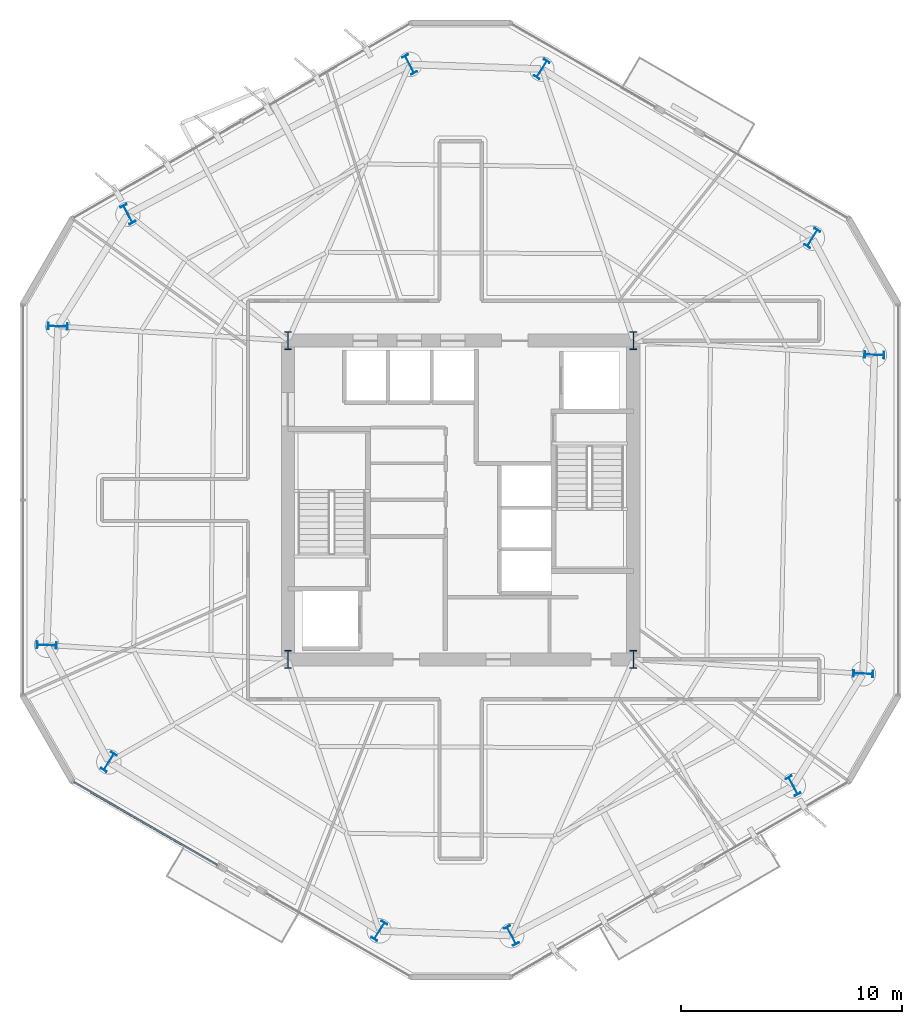
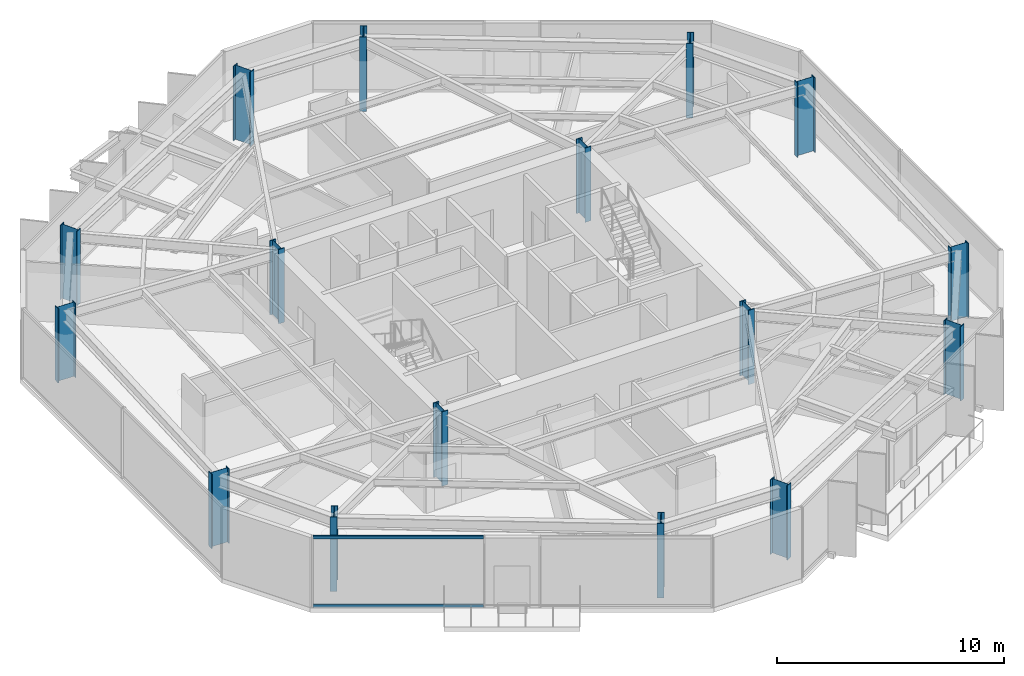
# One storey, part 1 of 11: 16 columns, 2 members, 1 element without a shape of its own.
"""IFC4 building model written with IfcOpenShell, lengths in metres."""

import ifcopenshell
import ifcopenshell.guid

model = None  # the IFC model being written
_history = None  # IfcOwnerHistory: only IFC2X3 demands one
_inside = {}  # id of a spatial element -> (the spatial element, [elements in it])
_under = {}  # id of a project, library or spatial element -> (it, [spatial elements below it])
_declared = {}  # id of a project -> (the project, [libraries it declares])
_typed = {}  # id of a type object -> (the type object, [elements of that type])
_made_of = {}  # id of a material, layer set ... -> (it, [elements and type objects made of it])


def new_model(schema):
    """Start an empty IFC model of exactly this schema.

    Asked for "IFC4X3", IfcOpenShell would pick the latest addendum, in which some entities
    have other attributes; the version numbers below select the first issue.
    IFC2X3 requires an IfcOwnerHistory on every rooted entity: one is made here for all.
    """
    global model, _history
    if schema == "IFC4X3":
        model = ifcopenshell.file(schema_version=(4, 3, 0, 0))
    else:
        model = ifcopenshell.file(schema=schema)
    _inside.clear()
    _under.clear()
    _declared.clear()
    _typed.clear()
    _made_of.clear()
    _history = None
    if model.schema == "IFC2X3":
        org = make("IfcOrganization", Name="unknown")
        user = make(
            "IfcPersonAndOrganization",
            ThePerson=make("IfcPerson", FamilyName="unknown"),
            TheOrganization=org,
        )
        app = make(
            "IfcApplication",
            ApplicationDeveloper=org,
            Version="unknown",
            ApplicationFullName="unknown",
            ApplicationIdentifier="unknown",
        )
        _history = make(
            "IfcOwnerHistory",
            OwningUser=user,
            OwningApplication=app,
            ChangeAction="ADDED",
            CreationDate=0,
        )
    return model


def make(cls, **values):
    """One entity of the class cls with the attributes given. An attribute that is None is left unset."""
    return model.create_entity(
        cls, **{name: value for name, value in values.items() if value is not None}
    )


def rooted(cls, **values):
    """An entity with a GlobalId (a new one), such as an element, a storey or a relation."""
    return make(cls, GlobalId=ifcopenshell.guid.new(), OwnerHistory=_history, **values)


def si_unit(unit_type, name, prefix=None):
    """IfcSIUnit, for example si_unit("LENGTHUNIT", "METRE", prefix="MILLI")."""
    return make("IfcSIUnit", UnitType=unit_type, Prefix=prefix, Name=name)


def assignment(units):
    """IfcUnitAssignment: the units of a project."""
    return None if units is None else make("IfcUnitAssignment", Units=units)


def point(xyz):
    """IfcCartesianPoint."""
    return None if xyz is None else make("IfcCartesianPoint", Coordinates=xyz)


def direction(xyz):
    """IfcDirection."""
    return None if xyz is None else make("IfcDirection", DirectionRatios=xyz)


def frame(location, z_axis=None, x_axis=None):
    """IfcAxis2Placement3D, a coordinate frame: its origin and axes. An axis left out is left unset."""
    return make(
        "IfcAxis2Placement3D",
        Location=point(location),
        Axis=direction(z_axis),
        RefDirection=direction(x_axis),
    )


def frame_2d(location, x_axis=None):
    """IfcAxis2Placement2D, a coordinate frame in the plane: its origin and x axis."""
    return make(
        "IfcAxis2Placement2D", Location=point(location), RefDirection=direction(x_axis)
    )


def origin():
    """The frame at (0, 0, 0) with its axes left unset."""
    return frame((0.0, 0.0, 0.0))


def origin_2d():
    """The frame at (0, 0) in the plane with its x axis left unset."""
    return frame_2d((0.0, 0.0))


def place(relative_to, where):
    """IfcLocalPlacement: puts the frame where relative to a parent placement (None: the world)."""
    return make(
        "IfcLocalPlacement", PlacementRelTo=relative_to, RelativePlacement=where
    )


def context(
    kind, dimensions, precision=None, world=None, true_north=None, identifier=None
):
    """IfcGeometricRepresentationContext, for example the 3D "Model" context."""
    return make(
        "IfcGeometricRepresentationContext",
        ContextIdentifier=identifier,
        ContextType=kind,
        CoordinateSpaceDimension=dimensions,
        Precision=precision,
        WorldCoordinateSystem=world,
        TrueNorth=true_north,
    )


def subcontext(parent, identifier, kind, view, scale=None):
    """IfcGeometricRepresentationSubContext, for example "Body" below "Model"."""
    return make(
        "IfcGeometricRepresentationSubContext",
        ContextIdentifier=identifier,
        ContextType=kind,
        ParentContext=parent,
        TargetScale=scale,
        TargetView=view,
    )


def project(units=None, contexts=None):
    """IfcProject with its units and contexts."""
    return rooted(
        "IfcProject",
        Name="project",
        RepresentationContexts=contexts,
        UnitsInContext=assignment(units),
    )


def spatial(cls, under=None, at=None, **own):
    """A site, building, storey or space (cls), placed at a placement, below another one or the project."""
    s = rooted(cls, ObjectPlacement=at, **own)
    if under is not None:
        _under.setdefault(under.id(), (under, []))[1].append(s)
    return s


def profile(cls, at=None, kind="AREA", **sizes):
    """A parametric profile (cls). Its sizes go by their IFC names, for example OverallWidth=200.0."""
    return make(cls, ProfileType=kind, Position=at, **sizes)


def rectangle(**sizes):
    """IfcRectangleProfileDef."""
    return profile("IfcRectangleProfileDef", **sizes)


def i_section(**sizes):
    """IfcIShapeProfileDef."""
    return profile("IfcIShapeProfileDef", **sizes)


def extrude(swept, where, along, depth):
    """IfcExtrudedAreaSolid: the profile swept, set in the frame where, extruded along a direction by depth."""
    return make(
        "IfcExtrudedAreaSolid",
        SweptArea=swept,
        Position=where,
        ExtrudedDirection=direction(along),
        Depth=depth,
    )


def shape(context_of_items, identifier, shape_type, items):
    """IfcShapeRepresentation: the items that make up one representation, for example the "Body"."""
    return make(
        "IfcShapeRepresentation",
        ContextOfItems=context_of_items,
        RepresentationIdentifier=identifier,
        RepresentationType=shape_type,
        Items=items,
    )


def material(Name=None, Category=None):
    """IfcMaterial."""
    return make("IfcMaterial", Name=Name, Category=Category)


def layer(
    of_material, thickness, ventilated=None, Name=None, Category=None, Priority=None
):
    """IfcMaterialLayer: one layer of a wall or slab, of a material (None: an air gap)."""
    return make(
        "IfcMaterialLayer",
        Material=of_material,
        LayerThickness=thickness,
        IsVentilated=ventilated,
        Name=Name,
        Category=Category,
        Priority=Priority,
    )


def layer_set(layers, Name=None):
    """IfcMaterialLayerSet."""
    return make("IfcMaterialLayerSet", MaterialLayers=layers, LayerSetName=Name)


def material_profile(
    of_material, cross_section, Name=None, Category=None, Priority=None
):
    """IfcMaterialProfile: a cross section and its material."""
    return make(
        "IfcMaterialProfile",
        Name=Name,
        Material=of_material,
        Profile=cross_section,
        Priority=Priority,
        Category=Category,
    )


def profile_set(profiles, Name=None, composite=None):
    """IfcMaterialProfileSet."""
    return make(
        "IfcMaterialProfileSet",
        Name=Name,
        MaterialProfiles=profiles,
        CompositeProfile=composite,
    )


def made_of(thing, what):
    """Note that an element or type object is made of a material, layer set ...; save() writes the relation."""
    if what is not None:
        _made_of.setdefault(what.id(), (what, []))[1].append(thing)
    return thing


def type_object(cls, material=None, **own):
    """A type object (cls), such as IfcWallType, which elements share."""
    return made_of(rooted(cls, **own), material)


def element(
    cls,
    number,
    at=None,
    inside=None,
    cuts=None,
    type_object=None,
    material=None,
    context=None,
    identifier="Body",
    shape_type=None,
    held_by="IfcProductDefinitionShape",
    body=None,
    shapes=None,
    **own,
):
    """One element of the class cls, such as IfcWall. Its Tag is "e" and its number.

    at: its placement. inside: the storey or other place that contains it. cuts: it is an
    opening in that element (IfcRelVoidsElement). A single representation is given by context,
    identifier, shape_type and body (its items); several are given by shapes. held_by: the class
    of the entity that holds the representations. save() writes the other relations.
    """
    e = rooted(cls, Tag="e%d" % number, ObjectPlacement=at, **own)
    if body is not None:
        shapes = [shape(context, identifier, shape_type, body)]
    if shapes is not None:
        e.Representation = make(held_by, Representations=shapes)
    if inside is not None:
        _inside.setdefault(inside.id(), (inside, []))[1].append(e)
    if cuts is not None:
        rooted(
            "IfcRelVoidsElement", RelatingBuildingElement=cuts, RelatedOpeningElement=e
        )
    if type_object is not None:
        _typed.setdefault(type_object.id(), (type_object, []))[1].append(e)
    return made_of(e, material)


def aggregate(whole, parts):
    """IfcRelAggregates: a whole, such as a stair, and the parts it consists of."""
    return rooted("IfcRelAggregates", RelatingObject=whole, RelatedObjects=parts)


def save(model, path):
    """Write the relations noted so far, then the file.

    IfcRelAggregates (storeys below a building ...), IfcRelContainedInSpatialStructure (elements
    in a storey), IfcRelDefinesByType, IfcRelAssociatesMaterial and IfcRelDeclares: one each for
    every whole, place, type object, material and project.
    """
    for whole, parts in _under.values():
        aggregate(whole, parts)
    for where, things in _inside.values():
        rooted(
            "IfcRelContainedInSpatialStructure",
            RelatedElements=things,
            RelatingStructure=where,
        )
    for kind, things in _typed.values():
        rooted("IfcRelDefinesByType", RelatedObjects=things, RelatingType=kind)
    for what, things in _made_of.values():
        rooted("IfcRelAssociatesMaterial", RelatedObjects=things, RelatingMaterial=what)
    for by, libraries in _declared.values():
        rooted("IfcRelDeclares", RelatingContext=by, RelatedDefinitions=libraries)
    model.write(path)


model = new_model("IFC4")

# Units and contexts
model_context = context("Model", 3, precision=1e-05, world=origin(), true_north=direction((0.0, 1.0)))
body_context = subcontext(model_context, "Body", "Model", "MODEL_VIEW")
ifc_project = project(units=[si_unit("LENGTHUNIT", "METRE"), si_unit("AREAUNIT", "SQUARE_METRE"), si_unit("VOLUMEUNIT", "CUBIC_METRE"), si_unit("PLANEANGLEUNIT", "RADIAN"), si_unit("MASSUNIT", "GRAM", prefix="KILO")], contexts=[model_context])

# Site, building, storey
site_placement = place(None, origin())
site = spatial("IfcSite", under=ifc_project, at=site_placement, CompositionType="ELEMENT")
building_placement = place(site_placement, origin())
building = spatial("IfcBuilding", under=site, at=building_placement, Name="Kranzbogen Civic Tower", CompositionType="ELEMENT")
storey_placement = place(building_placement, frame((0.0, 0.0, 142.39990234375)))
storey = spatial("IfcBuildingStorey", under=building, at=storey_placement, Name="L34", CompositionType="ELEMENT", Elevation=142.39990234375)

# Columns
ifc_material_1 = material(Name="Steel S355", Category="steel")
ifc_material_profile_1 = material_profile(ifc_material_1, i_section(OverallWidth=0.300048828125, OverallDepth=0.89990234375, WebThickness=0.0185546875, FlangeThickness=0.034912109375, at=origin_2d()), Name="HEB 900")
ifc_profile_set_1 = profile_set([ifc_material_profile_1], Name="Steel S355")
column_type_1 = type_object("IfcColumnType", Name="Structural Column HEB 900", PredefinedType="COLUMN", material=ifc_profile_set_1)
for number, where, z_axis, x_axis, name in (
    (1, (40.885986328125, 36.8291015625, 0.0), (0.0, 0.0, 1.0), (-0.848048096156, 0.529919264233, 0.0), "L34 tower perimeter tube column 01"),
    (2, (28.66796875, 44.464111328125, 0.0), (0.0, 0.0, 1.0), (-0.848048096156, 0.529919264233, 0.0), "L34 tower perimeter tube column 02"),
    (3, (22.698974609375, 44.672119140625, 0.0), (0.0, 0.0, 1.0), (0.882947592859, 0.469471562786, 0.0), "L34 tower perimeter tube column 03"),
    (4, (9.97705078125, 37.907958984375, 0.0), (0.0, 0.0, 1.0), (0.882947592859, 0.469471562786, 0.0), "L34 tower perimeter tube column 04"),
    (5, (6.81298828125, 32.843994140625, 0.0), (0.0, 0.0, 1.0), (0.034899496703, 0.999390827019, 0.0), "L34 tower perimeter tube column 05"),
    (6, (6.31005859375, 18.444091796875, 0.0), (0.0, 0.0, 1.0), (0.034899496703, 0.999390827019, 0.0), "L34 tower perimeter tube column 06"),
    (7, (9.114013671875, 13.1708984375, 0.0), (0.0, 0.0, 1.0), (-0.848048096156, 0.529919264233, 0.0), "L34 tower perimeter tube column 07"),
    (8, (21.33203125, 5.535888671875, 0.0), (0.0, 0.0, 1.0), (-0.848048096156, 0.529919264233, 0.0), "L34 tower perimeter tube column 08"),
    (9, (27.301025390625, 5.327880859375, 0.0), (0.0, 0.0, 1.0), (0.882947592859, 0.469471562786, 0.0), "L34 tower perimeter tube column 09"),
    (10, (40.02294921875, 12.092041015625, 0.0), (0.0, 0.0, 1.0), (0.882947592859, 0.469471562786, 0.0), "L34 tower perimeter tube column 10"),
    (11, (43.18701171875, 17.156005859375, 0.0), (0.0, 0.0, 1.0), (0.034899496703, 0.999390827019, 0.0), "L34 tower perimeter tube column 11"),
    (12, (43.68994140625, 31.555908203125, 0.0), (0.0, 0.0, 1.0), (0.034899496703, 0.999390827019, 0.0), "L34 tower perimeter tube column 12"),
):
    element("IfcColumn", number, at=place(storey_placement, frame(where, z_axis=z_axis, x_axis=x_axis)), inside=storey, type_object=column_type_1, Name=name, PredefinedType="COLUMN", context=body_context, shape_type="SweptSolid", body=[
        extrude(i_section(OverallWidth=0.300048828125, OverallDepth=0.89990234375, WebThickness=0.0185546875, FlangeThickness=0.034912109375, at=origin_2d()), origin(), (0.0, 0.0, 1.0), 4.0),
    ])
ifc_material_2 = material(Name="Steel S460", Category="steel")
ifc_material_profile_2 = material_profile(ifc_material_2, i_section(OverallWidth=0.302978515625, OverallDepth=0.81396484375, WebThickness=0.02099609375, FlangeThickness=0.0400390625, at=origin_2d()), Name="HEM 800")
ifc_profile_set_2 = profile_set([ifc_material_profile_2], Name="Steel S460")
column_type_2 = type_object("IfcColumnType", Name="Structural Column HEM 800", PredefinedType="COLUMN", material=ifc_profile_set_2)
for number, where, z_axis, x_axis, name in (
    (13, (17.199951171875, 17.800048828125, 0.0), (0.0, 0.0, 1.0), (1.0, 0.0, 0.0), "L34 composite core corner column 1"),
    (14, (32.800048828125, 17.800048828125, 0.0), (0.0, 0.0, 1.0), (1.0, 0.0, 0.0), "L34 composite core corner column 2"),
    (15, (32.800048828125, 32.199951171875, 0.0), (0.0, 0.0, 1.0), (1.0, 0.0, 0.0), "L34 composite core corner column 3"),
    (16, (17.199951171875, 32.199951171875, 0.0), (0.0, 0.0, 1.0), (1.0, 0.0, 0.0), "L34 composite core corner column 4"),
):
    element("IfcColumn", number, at=place(storey_placement, frame(where, z_axis=z_axis, x_axis=x_axis)), inside=storey, type_object=column_type_2, Name=name, PredefinedType="COLUMN", context=body_context, shape_type="SweptSolid", body=[
        extrude(i_section(OverallWidth=0.302978515625, OverallDepth=0.81396484375, WebThickness=0.02099609375, FlangeThickness=0.0400390625, at=origin_2d()), origin(), (0.0, 0.0, 1.0), 4.0),
    ])

# Curtain wall, members
ifc_material_3 = material(Name="Pale Anodised Aluminium", Category="aluminium")
ifc_layer = layer(ifc_material_3, 0.219970703125, Name="Pale Anodised Aluminium")
ifc_layer_set = layer_set([ifc_layer], Name="Pale Anodised Aluminium")
curtain_wall_type = type_object("IfcCurtainWallType", Name="Zone 2 Stick Curtain Wall System CW-03", PredefinedType="USERDEFINED", material=ifc_layer_set)
curtain_wall_placement = place(storey_placement, origin())
curtain_wall = element("IfcCurtainWall", 17, at=curtain_wall_placement, inside=storey, type_object=curtain_wall_type, Name="L34 curtain wall CW-L34-F4-S1", ObjectType="STICK CURTAIN WALL", PredefinedType="USERDEFINED")
ifc_material_profile_3 = material_profile(ifc_material_3, rectangle(XDim=0.074951171875, YDim=0.1650390625, at=origin_2d()), Name="ALU-T 75x165")
ifc_profile_set_3 = profile_set([ifc_material_profile_3], Name="Pale Anodised Aluminium")
member_type = type_object("IfcMemberType", Name="Curtain Wall Transom ALU-T 75x165", PredefinedType="USERDEFINED", material=ifc_profile_set_3)
member_1_placement = place(storey_placement, frame((7.514892578125, 12.263916015625, 0.030029296875), z_axis=(0.866003262869, -0.500038347229, 0.0), x_axis=(0.500038347229, 0.866003262869, 0.0)))
member_1 = element("IfcMember", 18, at=member_1_placement, type_object=member_type, Name="CW-03 transom 1.1", ObjectType="TRANSOM", PredefinedType="USERDEFINED", context=body_context, shape_type="SweptSolid", body=[
    extrude(rectangle(XDim=0.074951171875, YDim=0.1650390625, at=origin_2d()), origin(), (0.0, 0.0, 1.0), 7.51513671875),
])
member_2_placement = place(storey_placement, frame((7.514892578125, 12.263916015625, 3.72998046875), z_axis=(0.866003262869, -0.500038347229, 0.0), x_axis=(0.500038347229, 0.866003262869, 0.0)))
member_2 = element("IfcMember", 19, at=member_2_placement, type_object=member_type, Name="CW-03 transom 1.2", ObjectType="TRANSOM", PredefinedType="USERDEFINED", context=body_context, shape_type="SweptSolid", body=[
    extrude(rectangle(XDim=0.074951171875, YDim=0.1650390625, at=origin_2d()), origin(), (0.0, 0.0, 1.0), 7.51513671875),
])
aggregate(curtain_wall, [member_1, member_2])

save(model, "model.ifc")
